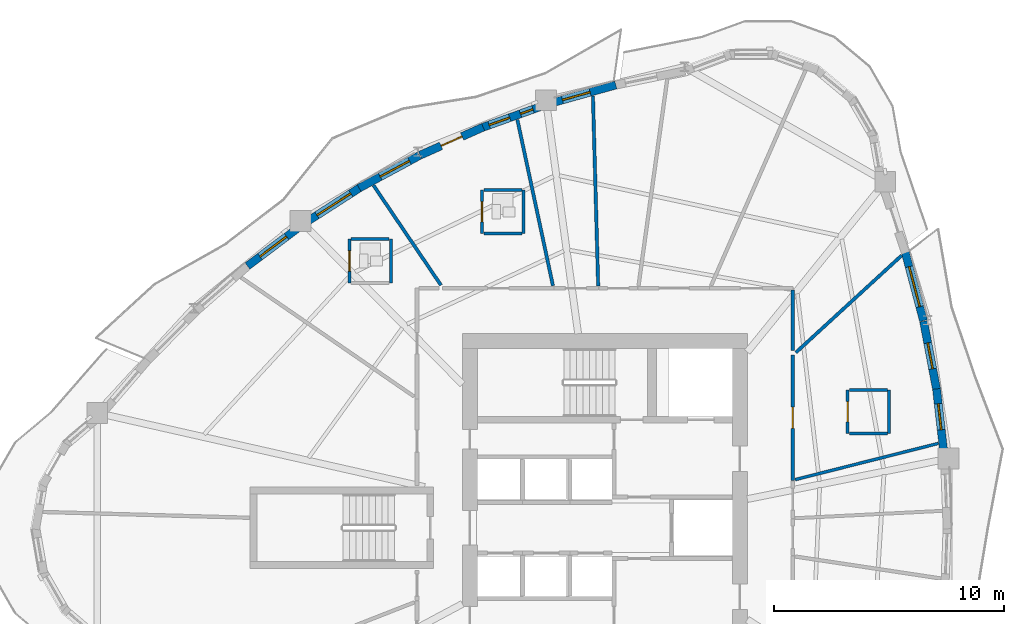
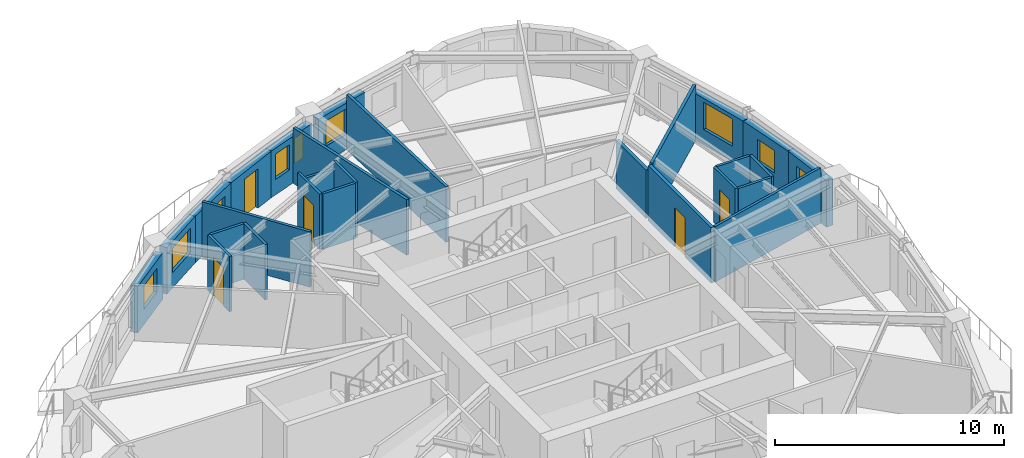
# One storey, part 9 of 15: 27 walls, 9 windows, 5 doors, 14 openings.
"""IFC4 building model written with IfcOpenShell, lengths in metres."""

from ifc_helpers import new_model, si_unit, direction, frame, frame_2d, origin, place, context, subcontext, project, spatial, rectangle, extrude, source, transform, mapped, material, layer, layer_set, type_object, element, fill, save


model = new_model("IFC4")

# Units and contexts
model_context = context("Model", 3, precision=1e-05, world=origin(), true_north=direction((0.0, 1.0)))
body_context = subcontext(model_context, "Body", "Model", "MODEL_VIEW")
ifc_project = project(units=[si_unit("LENGTHUNIT", "METRE"), si_unit("AREAUNIT", "SQUARE_METRE"), si_unit("VOLUMEUNIT", "CUBIC_METRE"), si_unit("PLANEANGLEUNIT", "RADIAN"), si_unit("MASSUNIT", "GRAM", prefix="KILO")], contexts=[model_context])

# Site, building, storey
site_placement = place(None, origin())
site = spatial("IfcSite", under=ifc_project, at=site_placement, CompositionType="ELEMENT")
building_placement = place(site_placement, origin())
building = spatial("IfcBuilding", under=site, at=building_placement, Name="Qafzar Sky-Pleat Residences", CompositionType="ELEMENT")
storey_placement = place(building_placement, frame((0.0, 0.0, 70.39990234375)))
storey = spatial("IfcBuildingStorey", under=building, at=storey_placement, Name="L20", CompositionType="ELEMENT", Elevation=70.39990234375)

# Wall, opening, door
ifc_material_1 = material(Name="Acoustic gypsum plasterboard partition", Category="gypsum")
ifc_layer_1 = layer(ifc_material_1, 0.159912109375)
ifc_layer_set_1 = layer_set([ifc_layer_1], Name="Acoustic gypsum plasterboard partition")
wall_type_1 = type_object("IfcWallType", Name="PART-COR-160", PredefinedType="PARTITIONING", material=ifc_layer_set_1)
wall_1_placement = place(storey_placement, frame((38.530029296875, 33.52587890625, 0.0), z_axis=(0.0, 0.0, 1.0), x_axis=(0.0, -1.0, 0.0)))
wall_1 = element("IfcWall", 1, at=wall_1_placement, inside=storey, type_object=wall_type_1, Name="L20 Partition Wall PART-L20-PW-002", PredefinedType="PARTITIONING", context=body_context, shape_type="SweptSolid", body=[
    extrude(rectangle(XDim=5.471923828125, YDim=0.159912109375, at=frame_2d((2.73583984375, 0.0))), origin(), (0.0, 0.0, 1.0), 2.9501953125),
])
opening_1_placement = place(wall_1_placement, frame((2.278076171875, 0.0, 0.0)))
opening_1 = element("IfcOpeningElement", 2, at=opening_1_placement, cuts=wall_1, Name="Opening ID-04", PredefinedType="OPENING", context=body_context, shape_type="SweptSolid", body=[
    extrude(rectangle(XDim=0.919921875, YDim=2.10009765625, at=frame_2d((0.4599609375, 1.050048828125))), frame((0.0, 0.08984375, 0.0), z_axis=(0.0, -1.0, 0.0), x_axis=(1.0, 0.0, 0.0)), (0.0, 0.0, 1.0), 0.179931640625),
])
ifc_material_2 = material(Name="Timber-faced fire door", Category="wood")
door_type_1 = type_object("IfcDoorType", Name="DR-BED-920", OperationType="NOTDEFINED", PredefinedType="DOOR", material=ifc_material_2)
shared_shape_1 = source(origin(), body_context, "Body", "SweptSolid", [
    extrude(rectangle(XDim=0.919921875, YDim=2.10009765625, at=frame_2d((0.4599609375, 1.050048828125))), frame((0.0, 0.02490234375, 0.0), z_axis=(0.0, -1.0, 0.0), x_axis=(1.0, 0.0, 0.0)), (0.0, 0.0, 1.0), 0.050048828125),
])
door_1_placement = place(opening_1_placement, origin())
door_1 = element("IfcDoor", 3, at=door_1_placement, inside=storey, type_object=door_type_1, Name="L20 Co-Living Bedroom 8 Door", OperationType="SINGLE_SWING_LEFT", OverallHeight=2.10009765625, OverallWidth=0.919921875, PredefinedType="DOOR", context=body_context, shape_type="MappedRepresentation", body=[
    mapped(shared_shape_1, transform((0.0, 0.0, 0.0), x_axis=(1.0, 0.0, 0.0), y_axis=(0.0, 1.0, 0.0), z_axis=(0.0, 0.0, 1.0), scale=1.0)),
])
fill(opening_1, door_1)

# Walls
wall_2_placement = place(storey_placement, frame((38.530029296875, 33.720703125, 0.0), z_axis=(0.0, 0.0, 1.0), x_axis=(0.0, 1.0, 0.0)))
element("IfcWall", 4, at=wall_2_placement, inside=storey, type_object=wall_type_1, Name="L20 Partition Wall PART-L20-PW-044", PredefinedType="PARTITIONING", context=body_context, shape_type="SweptSolid", body=[
    extrude(rectangle(XDim=2.621337890625, YDim=0.159912109375, at=frame_2d((1.310546875, 0.0))), origin(), (0.0, 0.0, 1.0), 2.588134765625),
])
ifc_layer_2 = layer(ifc_material_1, 0.14501953125)
ifc_layer_set_2 = layer_set([ifc_layer_2], Name="Acoustic gypsum plasterboard partition")
wall_type_2 = type_object("IfcWallType", Name="PART-UNIT-145", PredefinedType="PARTITIONING", material=ifc_layer_set_2)
wall_3_placement = place(storey_placement, frame((29.830078125, 44.785400390625, 0.0), z_axis=(0.0, 0.0, 1.0), x_axis=(0.027636759054, -0.999618031825, 0.0)))
element("IfcWall", 5, at=wall_3_placement, inside=storey, type_object=wall_type_2, Name="L20 Partition Wall PART-L20-PW-032", PredefinedType="PARTITIONING", context=body_context, shape_type="SweptSolid", body=[
    extrude(rectangle(XDim=8.2685546875, YDim=0.14501953125, at=frame_2d((4.13427734375, 0.0))), origin(), (0.0, 0.0, 1.0), 2.9501953125),
])
wall_4_placement = place(storey_placement, frame((26.541015625, 43.765625, 0.0), z_axis=(0.0, 0.0, 1.0), x_axis=(0.209522326513, -0.9778038631, 0.0)))
element("IfcWall", 6, at=wall_4_placement, inside=storey, type_object=wall_type_2, Name="L20 Partition Wall PART-L20-PW-034", PredefinedType="PARTITIONING", context=body_context, shape_type="SweptSolid", body=[
    extrude(rectangle(XDim=7.396728515625, YDim=0.14501953125, at=frame_2d((3.6982421875, 0.0))), origin(), (0.0, 0.0, 1.0), 2.9501953125),
])
wall_5_placement = place(storey_placement, frame((38.664794921875, 33.6298828125, 0.0), z_axis=(0.0, 0.0, 1.0), x_axis=(0.736824900837, 0.676083623161, 0.0)))
element("IfcWall", 7, at=wall_5_placement, inside=storey, type_object=wall_type_2, Name="L20 Partition Wall PART-L20-PW-038", PredefinedType="PARTITIONING", context=body_context, shape_type="SweptSolid", body=[
    extrude(rectangle(XDim=6.25, YDim=0.14501953125, at=frame_2d((3.125, 0.0))), origin(), (0.0, 0.0, 1.0), 2.9501953125),
])
wall_6_placement = place(storey_placement, frame((20.277099609375, 40.90625, 0.0), z_axis=(0.0, 0.0, 1.0), x_axis=(0.559905741259, -0.828556311246, 0.0)))
element("IfcWall", 8, at=wall_6_placement, inside=storey, type_object=wall_type_2, Name="L20 Partition Wall PART-L20-PW-041", PredefinedType="PARTITIONING", context=body_context, shape_type="SweptSolid", body=[
    extrude(rectangle(XDim=5.2490234375, YDim=0.14501953125, at=frame_2d((2.62451171875, 0.0))), origin(), (0.0, 0.0, 1.0), 2.9501953125),
])

# Wall, opening, door
ifc_material_3 = material(Name="Moisture-resistant gypsum partition", Category="gypsum")
ifc_layer_3 = layer(ifc_material_3, 0.1298828125)
ifc_layer_set_3 = layer_set([ifc_layer_3], Name="Moisture-resistant gypsum partition")
wall_type_3 = type_object("IfcWallType", Name="PART-WET-130", PredefinedType="PARTITIONING", material=ifc_layer_set_3)
wall_7_placement = place(storey_placement, frame((25.0048828125, 40.700927734375, 0.0), z_axis=(0.0, 0.0, 1.0), x_axis=(0.0, -1.0, 0.0)))
wall_7 = element("IfcWall", 9, at=wall_7_placement, inside=storey, type_object=wall_type_3, Name="L20 Partition Wall PART-L20-PW-018", PredefinedType="PARTITIONING", context=body_context, shape_type="SweptSolid", body=[
    extrude(rectangle(XDim=1.89990234375, YDim=0.1298828125, at=frame_2d((0.949951171875, 0.0))), origin(), (0.0, 0.0, 1.0), 2.9501953125),
])
opening_2_placement = place(wall_7_placement, frame((0.510009765625, 0.0, 0.0)))
opening_2 = element("IfcOpeningElement", 10, at=opening_2_placement, cuts=wall_7, Name="Opening ID-07", PredefinedType="OPENING", context=body_context, shape_type="SweptSolid", body=[
    extrude(rectangle(XDim=0.8798828125, YDim=2.050048828125, at=frame_2d((0.43994140625, 1.02490234375))), frame((0.0, 0.074951171875, 0.0), z_axis=(0.0, -1.0, 0.0), x_axis=(1.0, 0.0, 0.0)), (0.0, 0.0, 1.0), 0.14990234375),
])
door_type_2 = type_object("IfcDoorType", Name="DR-WET-880", OperationType="NOTDEFINED", PredefinedType="DOOR", material=ifc_material_2)
shared_shape_2 = source(origin(), body_context, "Body", "SweptSolid", [
    extrude(rectangle(XDim=0.8798828125, YDim=2.050048828125, at=frame_2d((0.43994140625, 1.02490234375))), frame((0.0, 0.02490234375, 0.0), z_axis=(0.0, -1.0, 0.0), x_axis=(1.0, 0.0, 0.0)), (0.0, 0.0, 1.0), 0.050048828125),
])
door_2_placement = place(opening_2_placement, origin())
door_2 = element("IfcDoor", 11, at=door_2_placement, inside=storey, type_object=door_type_2, Name="L20 En-suite Bathroom 3 Door", OperationType="SINGLE_SWING_RIGHT", OverallHeight=2.050048828125, OverallWidth=0.8798828125, PredefinedType="DOOR", context=body_context, shape_type="MappedRepresentation", body=[
    mapped(shared_shape_2, transform((0.0, 0.0, 0.0), x_axis=(1.0, 0.0, 0.0), y_axis=(0.0, 1.0, 0.0), z_axis=(0.0, 0.0, 1.0), scale=1.0)),
])
fill(opening_2, door_2)

wall_8_placement = place(storey_placement, frame((19.237060546875, 38.56103515625, 0.0), z_axis=(0.0, 0.0, 1.0), x_axis=(0.0, -1.0, 0.0)))
wall_8 = element("IfcWall", 12, at=wall_8_placement, inside=storey, type_object=wall_type_3, Name="L20 Partition Wall PART-L20-PW-019", PredefinedType="PARTITIONING", context=body_context, shape_type="SweptSolid", body=[
    extrude(rectangle(XDim=1.900146484375, YDim=0.1298828125, at=frame_2d((0.9501953125, 0.0))), origin(), (0.0, 0.0, 1.0), 2.9501953125),
])
opening_3_placement = place(wall_8_placement, frame((0.510009765625, 0.0, 0.0)))
opening_3 = element("IfcOpeningElement", 13, at=opening_3_placement, cuts=wall_8, Name="Opening ID-07", PredefinedType="OPENING", context=body_context, shape_type="SweptSolid", body=[
    extrude(rectangle(XDim=0.8798828125, YDim=2.050048828125, at=frame_2d((0.43994140625, 1.02490234375))), frame((0.0, 0.074951171875, 0.0), z_axis=(0.0, -1.0, 0.0), x_axis=(1.0, 0.0, 0.0)), (0.0, 0.0, 1.0), 0.14990234375),
])
door_3_placement = place(opening_3_placement, origin())
door_3 = element("IfcDoor", 14, at=door_3_placement, inside=storey, type_object=door_type_2, Name="L20 En-suite Bathroom 4 Door", OperationType="SINGLE_SWING_LEFT", OverallHeight=2.050048828125, OverallWidth=0.8798828125, PredefinedType="DOOR", context=body_context, shape_type="MappedRepresentation", body=[
    mapped(shared_shape_2, transform((0.0, 0.0, 0.0), x_axis=(1.0, 0.0, 0.0), y_axis=(0.0, 1.0, 0.0), z_axis=(0.0, 0.0, 1.0), scale=1.0)),
])
fill(opening_3, door_3)

wall_9_placement = place(storey_placement, frame((40.9189453125, 32.00390625, 0.0), z_axis=(0.0, 0.0, 1.0), x_axis=(0.0, -1.0, 0.0)))
wall_9 = element("IfcWall", 15, at=wall_9_placement, inside=storey, type_object=wall_type_3, Name="L20 Partition Wall PART-L20-PW-020", PredefinedType="PARTITIONING", context=body_context, shape_type="SweptSolid", body=[
    extrude(rectangle(XDim=1.89990234375, YDim=0.1298828125, at=frame_2d((0.949951171875, 0.0))), origin(), (0.0, 0.0, 1.0), 2.9501953125),
])
opening_4_placement = place(wall_9_placement, frame((0.510009765625, 0.0, 0.0)))
opening_4 = element("IfcOpeningElement", 16, at=opening_4_placement, cuts=wall_9, Name="Opening ID-07", PredefinedType="OPENING", context=body_context, shape_type="SweptSolid", body=[
    extrude(rectangle(XDim=0.8798828125, YDim=2.050048828125, at=frame_2d((0.43994140625, 1.02490234375))), frame((0.0, 0.074951171875, 0.0), z_axis=(0.0, -1.0, 0.0), x_axis=(1.0, 0.0, 0.0)), (0.0, 0.0, 1.0), 0.14990234375),
])
door_4_placement = place(opening_4_placement, origin())
door_4 = element("IfcDoor", 17, at=door_4_placement, inside=storey, type_object=door_type_2, Name="L20 En-suite Bathroom 8 Door", OperationType="SINGLE_SWING_RIGHT", OverallHeight=2.050048828125, OverallWidth=0.8798828125, PredefinedType="DOOR", context=body_context, shape_type="MappedRepresentation", body=[
    mapped(shared_shape_2, transform((0.0, 0.0, 0.0), x_axis=(1.0, 0.0, 0.0), y_axis=(0.0, 1.0, 0.0), z_axis=(0.0, 0.0, 1.0), scale=1.0)),
])
fill(opening_4, door_4)

# Walls
wall_10_placement = place(storey_placement, frame((38.6337890625, 28.09619140625, 0.0), z_axis=(0.0, 0.0, 1.0), x_axis=(0.969457090906, 0.245260981186, 0.0)))
element("IfcWall", 18, at=wall_10_placement, inside=storey, type_object=wall_type_3, Name="L20 Partition Wall PART-L20-PW-035", PredefinedType="PARTITIONING", context=body_context, shape_type="SweptSolid", body=[
    extrude(rectangle(XDim=6.426513671875, YDim=0.1298828125, at=frame_2d((3.21337890625, 0.0))), origin(), (0.0, 0.0, 1.0), 2.9501953125),
])
wall_11_placement = place(storey_placement, frame((26.804931640625, 38.801025390625, 0.0), z_axis=(0.0, 0.0, 1.0), x_axis=(0.0, 1.0, 0.0)))
element("IfcWall", 19, at=wall_11_placement, inside=storey, type_object=wall_type_3, Name="L20 Partition Wall PART-L20-PW-048", PredefinedType="PARTITIONING", context=body_context, shape_type="SweptSolid", body=[
    extrude(rectangle(XDim=1.89990234375, YDim=0.1298828125, at=frame_2d((0.949951171875, 0.0))), origin(), (0.0, 0.0, 1.0), 2.9501953125),
])
wall_12_placement = place(storey_placement, frame((21.037109375, 36.660888671875, 0.0), z_axis=(0.0, 0.0, 1.0), x_axis=(0.0, 1.0, 0.0)))
element("IfcWall", 20, at=wall_12_placement, inside=storey, type_object=wall_type_3, Name="L20 Partition Wall PART-L20-PW-049", PredefinedType="PARTITIONING", context=body_context, shape_type="SweptSolid", body=[
    extrude(rectangle(XDim=1.900146484375, YDim=0.1298828125, at=frame_2d((0.9501953125, 0.0))), origin(), (0.0, 0.0, 1.0), 2.9501953125),
])
wall_13_placement = place(storey_placement, frame((42.718994140625, 30.10400390625, 0.0), z_axis=(0.0, 0.0, 1.0), x_axis=(0.0, 1.0, 0.0)))
element("IfcWall", 21, at=wall_13_placement, inside=storey, type_object=wall_type_3, Name="L20 Partition Wall PART-L20-PW-050", PredefinedType="PARTITIONING", context=body_context, shape_type="SweptSolid", body=[
    extrude(rectangle(XDim=1.89990234375, YDim=0.1298828125, at=frame_2d((0.949951171875, 0.0))), origin(), (0.0, 0.0, 1.0), 2.9501953125),
])
for number, where, z_axis, x_axis, name in (
    (22, (40.991943359375, 32.00390625, 0.0), (0.0, 0.0, 1.0), (1.0, 0.0, 0.0), "L20 Partition Wall PART-L20-PW-052"),
    (23, (40.991943359375, 30.10400390625, 0.0), (0.0, 0.0, 1.0), (1.0, 0.0, 0.0), "L20 Partition Wall PART-L20-PW-053"),
):
    element("IfcWall", number, at=place(storey_placement, frame(where, z_axis=z_axis, x_axis=x_axis)), inside=storey, type_object=wall_type_3, Name=name, PredefinedType="PARTITIONING", context=body_context, shape_type="SweptSolid", body=[
        extrude(rectangle(XDim=1.654052734375, YDim=0.1298828125, at=frame_2d((0.8271484375, 0.0))), origin(), (0.0, 0.0, 1.0), 2.9501953125),
    ])
wall_14_placement = place(storey_placement, frame((25.077880859375, 40.700927734375, 0.0), z_axis=(0.0, 0.0, 1.0), x_axis=(1.0, 0.0, 0.0)))
element("IfcWall", 24, at=wall_14_placement, inside=storey, type_object=wall_type_3, Name="L20 Partition Wall PART-L20-PW-054", PredefinedType="PARTITIONING", context=body_context, shape_type="SweptSolid", body=[
    extrude(rectangle(XDim=1.654052734375, YDim=0.1298828125, at=frame_2d((0.8271484375, 0.0))), origin(), (0.0, 0.0, 1.0), 2.55810546875),
])
for number, where, z_axis, x_axis, name in (
    (25, (25.077880859375, 38.801025390625, 0.0), (0.0, 0.0, 1.0), (1.0, 0.0, 0.0), "L20 Partition Wall PART-L20-PW-055"),
    (26, (19.31005859375, 38.56103515625, 0.0), (0.0, 0.0, 1.0), (1.0, 0.0, 0.0), "L20 Partition Wall PART-L20-PW-056"),
):
    element("IfcWall", number, at=place(storey_placement, frame(where, z_axis=z_axis, x_axis=x_axis)), inside=storey, type_object=wall_type_3, Name=name, PredefinedType="PARTITIONING", context=body_context, shape_type="SweptSolid", body=[
        extrude(rectangle(XDim=1.654052734375, YDim=0.1298828125, at=frame_2d((0.8271484375, 0.0))), origin(), (0.0, 0.0, 1.0), 2.9501953125),
    ])

# Wall, opening, window
ifc_material_4 = material(Name="Precast concrete C40/50 with honed Riyadh limestone", Category="concrete")
ifc_layer_4 = layer(ifc_material_4, 0.35009765625)
ifc_layer_set_4 = layer_set([ifc_layer_4], Name="Precast concrete C40/50 with honed Riyadh limestone")
wall_type_4 = type_object("IfcWallType", Name="WALL-EXT-350", PredefinedType="SOLIDWALL", material=ifc_layer_set_4)
wall_15_placement = place(storey_placement, frame((45.10888671875, 29.217041015625, 0.0), z_axis=(0.0, 0.0, 1.0), x_axis=(-0.11323690057, 0.993568016972, 0.0)))
wall_15 = element("IfcWall", 27, at=wall_15_placement, inside=storey, type_object=wall_type_4, Name="L20 Limestone Facade Wall 29", PredefinedType="SOLIDWALL", context=body_context, shape_type="SweptSolid", body=[
    extrude(rectangle(XDim=2.845947265625, YDim=0.35009765625, at=frame_2d((1.4228515625, 0.0))), origin(), (0.0, 0.0, 1.0), 2.47998046875),
])
opening_5_placement = place(wall_15_placement, frame((1.0498046875, 0.0, 0.820068359375)))
opening_5 = element("IfcOpeningElement", 28, at=opening_5_placement, cuts=wall_15, Name="Opening WN-16", PredefinedType="OPENING", context=body_context, shape_type="SweptSolid", body=[
    extrude(rectangle(XDim=1.14990234375, YDim=1.199951171875, at=frame_2d((0.574951171875, 0.60009765625))), frame((0.0, 0.18505859375, 0.0), z_axis=(0.0, -1.0, 0.0), x_axis=(1.0, 0.0, 0.0)), (0.0, 0.0, 1.0), 0.3701171875),
])
ifc_material_5 = material(Name="Solar-control low-E glass in bronze aluminium frame", Category="glass")
window_type_1 = type_object("IfcWindowType", Name="WIN-16", PartitioningType="SINGLE_PANEL", PredefinedType="WINDOW", material=ifc_material_5)
shared_shape_3 = source(origin(), body_context, "Body", "SweptSolid", [
    extrude(rectangle(XDim=1.14990234375, YDim=1.199951171875, at=frame_2d((0.574951171875, 0.60009765625))), frame((0.0, 0.030029296875, 0.0), z_axis=(0.0, -1.0, 0.0), x_axis=(1.0, 0.0, 0.0)), (0.0, 0.0, 1.0), 0.06005859375),
])
window_1_placement = place(opening_5_placement, origin())
window_1 = element("IfcWindow", 29, at=window_1_placement, inside=storey, type_object=window_type_1, Name="L20 Punched Facade Window 29-2", OverallHeight=1.199951171875, OverallWidth=1.14990234375, PartitioningType="SINGLE_PANEL", PredefinedType="WINDOW", context=body_context, shape_type="MappedRepresentation", body=[
    mapped(shared_shape_3, transform((0.0, 0.0, 0.0), x_axis=(1.0, 0.0, 0.0), y_axis=(0.0, 1.0, 0.0), z_axis=(0.0, 0.0, 1.0), scale=1.0)),
])
fill(opening_5, window_1)

wall_16_placement = place(storey_placement, frame((44.7998046875, 31.956787109375, 0.0), z_axis=(0.0, 0.0, 1.0), x_axis=(-0.186672102023, 0.982422274954, 0.0)))
wall_16 = element("IfcWall", 30, at=wall_16_placement, inside=storey, type_object=wall_type_4, Name="L20 Limestone Facade Wall 30", PredefinedType="SOLIDWALL", context=body_context, shape_type="SweptSolid", body=[
    extrude(rectangle(XDim=3.085205078125, YDim=0.35009765625, at=frame_2d((1.54248046875, 0.0))), origin(), (0.0, 0.0, 1.0), 2.47998046875),
])
opening_6_placement = place(wall_16_placement, frame((0.977783203125, 0.0, 0.820068359375)))
opening_6 = element("IfcOpeningElement", 31, at=opening_6_placement, cuts=wall_16, Name="Opening WN-16", PredefinedType="OPENING", context=body_context, shape_type="SweptSolid", body=[
    extrude(rectangle(XDim=1.14990234375, YDim=1.199951171875, at=frame_2d((0.574951171875, 0.60009765625))), frame((0.0, 0.18505859375, 0.0), z_axis=(0.0, -1.0, 0.0), x_axis=(1.0, 0.0, 0.0)), (0.0, 0.0, 1.0), 0.3701171875),
])
window_2_placement = place(opening_6_placement, origin())
window_2 = element("IfcWindow", 32, at=window_2_placement, inside=storey, type_object=window_type_1, Name="L20 Punched Facade Window 30", OverallHeight=1.199951171875, OverallWidth=1.14990234375, PartitioningType="SINGLE_PANEL", PredefinedType="WINDOW", context=body_context, shape_type="MappedRepresentation", body=[
    mapped(shared_shape_3, transform((0.0, 0.0, 0.0), x_axis=(1.0, 0.0, 0.0), y_axis=(0.0, 1.0, 0.0), z_axis=(0.0, 0.0, 1.0), scale=1.0)),
])
fill(opening_6, window_2)

wall_17_placement = place(storey_placement, frame((44.2177734375, 35.014404296875, 0.0), z_axis=(0.0, 0.0, 1.0), x_axis=(-0.25705209467, 0.96639754792, 0.0)))
wall_17 = element("IfcWall", 33, at=wall_17_placement, inside=storey, type_object=wall_type_4, Name="L20 Limestone Facade Wall 31", PredefinedType="SOLIDWALL", context=body_context, shape_type="SweptSolid", body=[
    extrude(rectangle(XDim=3.13623046875, YDim=0.35009765625, at=frame_2d((1.568115234375, 0.0))), origin(), (0.0, 0.0, 1.0), 2.47998046875),
])
opening_7_placement = place(wall_17_placement, frame((0.6298828125, 0.0, 0.820068359375)))
opening_7 = element("IfcOpeningElement", 34, at=opening_7_placement, cuts=wall_17, Name="Opening WN-01", PredefinedType="OPENING", context=body_context, shape_type="SweptSolid", body=[
    extrude(rectangle(XDim=1.800048828125, YDim=1.449951171875, at=frame_2d((0.89990234375, 0.72509765625))), frame((0.0, 0.18505859375, 0.0), z_axis=(0.0, -1.0, 0.0), x_axis=(1.0, 0.0, 0.0)), (0.0, 0.0, 1.0), 0.3701171875),
])
window_type_2 = type_object("IfcWindowType", Name="WIN-01", PartitioningType="DOUBLE_PANEL_VERTICAL", PredefinedType="WINDOW", material=ifc_material_5)
shared_shape_4 = source(origin(), body_context, "Body", "SweptSolid", [
    extrude(rectangle(XDim=1.800048828125, YDim=1.449951171875, at=frame_2d((0.89990234375, 0.72509765625))), frame((0.0, 0.030029296875, 0.0), z_axis=(0.0, -1.0, 0.0), x_axis=(1.0, 0.0, 0.0)), (0.0, 0.0, 1.0), 0.06005859375),
])
window_3_placement = place(opening_7_placement, origin())
window_3 = element("IfcWindow", 35, at=window_3_placement, inside=storey, type_object=window_type_2, Name="L20 Punched Facade Window 31", OverallHeight=1.449951171875, OverallWidth=1.800048828125, PartitioningType="SINGLE_PANEL", PredefinedType="WINDOW", context=body_context, shape_type="MappedRepresentation", body=[
    mapped(shared_shape_4, transform((0.0, 0.0, 0.0), x_axis=(1.0, 0.0, 0.0), y_axis=(0.0, 1.0, 0.0), z_axis=(0.0, 0.0, 1.0), scale=1.0)),
])
fill(opening_7, window_3)

wall_18_placement = place(storey_placement, frame((30.8271484375, 45.2724609375, 0.0), z_axis=(0.0, 0.0, 1.0), x_axis=(-0.963061576901, -0.269281263918, 0.0)))
wall_18 = element("IfcWall", 36, at=wall_18_placement, inside=storey, type_object=wall_type_4, Name="L20 Limestone Facade Wall 40", PredefinedType="SOLIDWALL", context=body_context, shape_type="SweptSolid", body=[
    extrude(rectangle(XDim=2.883056640625, YDim=0.35009765625, at=frame_2d((1.44140625, 0.0))), origin(), (0.0, 0.0, 1.0), 2.47998046875),
])
opening_8_placement = place(wall_18_placement, frame((1.162841796875, 0.0, 0.820068359375)))
opening_8 = element("IfcOpeningElement", 37, at=opening_8_placement, cuts=wall_18, Name="Opening WN-11", PredefinedType="OPENING", context=body_context, shape_type="SweptSolid", body=[
    extrude(rectangle(XDim=1.25, YDim=1.35009765625, at=frame_2d((0.625, 0.675048828125))), frame((0.0, 0.18505859375, 0.0), z_axis=(0.0, -1.0, 0.0), x_axis=(1.0, 0.0, 0.0)), (0.0, 0.0, 1.0), 0.3701171875),
])
window_type_3 = type_object("IfcWindowType", Name="WIN-11", PartitioningType="SINGLE_PANEL", PredefinedType="WINDOW", material=ifc_material_5)
shared_shape_5 = source(origin(), body_context, "Body", "SweptSolid", [
    extrude(rectangle(XDim=1.25, YDim=1.35009765625, at=frame_2d((0.625, 0.675048828125))), frame((0.0, 0.030029296875, 0.0), z_axis=(0.0, -1.0, 0.0), x_axis=(1.0, 0.0, 0.0)), (0.0, 0.0, 1.0), 0.06005859375),
])
window_4_placement = place(opening_8_placement, origin())
window_4 = element("IfcWindow", 38, at=window_4_placement, inside=storey, type_object=window_type_3, Name="L20 Punched Facade Window 40-2", OverallHeight=1.35009765625, OverallWidth=1.25, PartitioningType="SINGLE_PANEL", PredefinedType="WINDOW", context=body_context, shape_type="MappedRepresentation", body=[
    mapped(shared_shape_5, transform((0.0, 0.0, 0.0), x_axis=(1.0, 0.0, 0.0), y_axis=(0.0, 1.0, 0.0), z_axis=(0.0, 0.0, 1.0), scale=1.0)),
])
fill(opening_8, window_4)

# Wall, openings, windows
wall_19_placement = place(storey_placement, frame((27.63427734375, 44.363037109375, 0.0), z_axis=(0.0, 0.0, 1.0), x_axis=(-0.941122275829, -0.3380663573, 0.0)))
wall_19 = element("IfcWall", 39, at=wall_19_placement, inside=storey, type_object=wall_type_4, Name="L20 Limestone Facade Wall 41", PredefinedType="SOLIDWALL", context=body_context, shape_type="SweptSolid", body=[
    extrude(rectangle(XDim=2.8330078125, YDim=0.35009765625, at=frame_2d((1.41650390625, 0.0))), origin(), (0.0, 0.0, 1.0), 2.47998046875),
])
opening_9_placement = place(wall_19_placement, frame((0.438720703125, 0.0, 0.820068359375)))
opening_9 = element("IfcOpeningElement", 40, at=opening_9_placement, cuts=wall_19, Name="Opening WN-17", PredefinedType="OPENING", context=body_context, shape_type="SweptSolid", body=[
    extrude(rectangle(XDim=0.580078125, YDim=1.35009765625, at=frame_2d((0.2900390625, 0.675048828125))), frame((0.0, 0.18505859375, 0.0), z_axis=(0.0, -1.0, 0.0), x_axis=(1.0, 0.0, 0.0)), (0.0, 0.0, 1.0), 0.3701171875),
])
opening_10_placement = place(wall_19_placement, frame((1.515380859375, 0.0, 0.820068359375)))
opening_10 = element("IfcOpeningElement", 41, at=opening_10_placement, cuts=wall_19, Name="Opening WN-12", PredefinedType="OPENING", context=body_context, shape_type="SweptSolid", body=[
    extrude(rectangle(XDim=0.949951171875, YDim=1.35009765625, at=frame_2d((0.47509765625, 0.675048828125))), frame((0.0, 0.18505859375, 0.0), z_axis=(0.0, -1.0, 0.0), x_axis=(1.0, 0.0, 0.0)), (0.0, 0.0, 1.0), 0.3701171875),
])
window_type_4 = type_object("IfcWindowType", Name="WIN-12", PartitioningType="SINGLE_PANEL", PredefinedType="WINDOW", material=ifc_material_5)
shared_shape_6 = source(origin(), body_context, "Body", "SweptSolid", [
    extrude(rectangle(XDim=0.949951171875, YDim=1.35009765625, at=frame_2d((0.47509765625, 0.675048828125))), frame((0.0, 0.030029296875, 0.0), z_axis=(0.0, -1.0, 0.0), x_axis=(1.0, 0.0, 0.0)), (0.0, 0.0, 1.0), 0.06005859375),
])
window_5_placement = place(opening_10_placement, origin())
window_5 = element("IfcWindow", 42, at=window_5_placement, inside=storey, type_object=window_type_4, Name="L20 Punched Facade Window 41-2", OverallHeight=1.35009765625, OverallWidth=0.949951171875, PartitioningType="SINGLE_PANEL", PredefinedType="WINDOW", context=body_context, shape_type="MappedRepresentation", body=[
    mapped(shared_shape_6, transform((0.0, 0.0, 0.0), x_axis=(1.0, 0.0, 0.0), y_axis=(0.0, 1.0, 0.0), z_axis=(0.0, 0.0, 1.0), scale=1.0)),
])
fill(opening_10, window_5)
window_type_5 = type_object("IfcWindowType", Name="WIN-17", PartitioningType="SINGLE_PANEL", PredefinedType="WINDOW", material=ifc_material_5)
shared_shape_7 = source(origin(), body_context, "Body", "SweptSolid", [
    extrude(rectangle(XDim=0.580078125, YDim=1.35009765625, at=frame_2d((0.2900390625, 0.675048828125))), frame((0.0, 0.030029296875, 0.0), z_axis=(0.0, -1.0, 0.0), x_axis=(1.0, 0.0, 0.0)), (0.0, 0.0, 1.0), 0.06005859375),
])
window_6_placement = place(opening_9_placement, origin())
window_6 = element("IfcWindow", 43, at=window_6_placement, inside=storey, type_object=window_type_5, Name="L20 Punched Facade Window 41", OverallHeight=1.35009765625, OverallWidth=0.580078125, PartitioningType="SINGLE_PANEL", PredefinedType="WINDOW", context=body_context, shape_type="MappedRepresentation", body=[
    mapped(shared_shape_7, transform((0.0, 0.0, 0.0), x_axis=(1.0, 0.0, 0.0), y_axis=(0.0, 1.0, 0.0), z_axis=(0.0, 0.0, 1.0), scale=1.0)),
])
fill(opening_9, window_6)

# Wall, opening, door
wall_20_placement = place(storey_placement, frame((25.050537109375, 43.4384765625, 0.0), z_axis=(0.0, 0.0, 1.0), x_axis=(-0.913435824308, -0.406982794318, 0.0)))
wall_20 = element("IfcWall", 44, at=wall_20_placement, inside=storey, type_object=wall_type_4, Name="L20 Limestone Facade Wall 42", PredefinedType="SOLIDWALL", context=body_context, shape_type="SweptSolid", body=[
    extrude(rectangle(XDim=3.004150390625, YDim=0.35009765625, at=frame_2d((1.501953125, 0.0))), origin(), (0.0, 0.0, 1.0), 2.47998046875),
])
opening_11_placement = place(wall_20_placement, frame((1.001953125, 0.0, 0.0)))
opening_11 = element("IfcOpeningElement", 45, at=opening_11_placement, cuts=wall_20, Name="Opening ED-05", PredefinedType="OPENING", context=body_context, shape_type="SweptSolid", body=[
    extrude(rectangle(XDim=1.0, YDim=2.10009765625, at=frame_2d((0.5, 1.050048828125))), frame((0.0, 0.18505859375, 0.0), z_axis=(0.0, -1.0, 0.0), x_axis=(1.0, 0.0, 0.0)), (0.0, 0.0, 1.0), 0.3701171875),
])
ifc_material_6 = material(Name="Glazed bronze aluminium door", Category="aluminium")
door_type_3 = type_object("IfcDoorType", Name="DR-BAL-1000", OperationType="NOTDEFINED", PredefinedType="DOOR", material=ifc_material_6)
shared_shape_8 = source(origin(), body_context, "Body", "SweptSolid", [
    extrude(rectangle(XDim=1.0, YDim=2.10009765625, at=frame_2d((0.5, 1.050048828125))), frame((0.0, 0.02490234375, 0.0), z_axis=(0.0, -1.0, 0.0), x_axis=(1.0, 0.0, 0.0)), (0.0, 0.0, 1.0), 0.050048828125),
])
door_5_placement = place(opening_11_placement, origin())
door_5 = element("IfcDoor", 46, at=door_5_placement, inside=storey, type_object=door_type_3, Name="L20 Glazed Balcony Door 2", OperationType="SINGLE_SWING_LEFT", OverallHeight=2.10009765625, OverallWidth=1.0, PredefinedType="DOOR", context=body_context, shape_type="MappedRepresentation", body=[
    mapped(shared_shape_8, transform((0.0, 0.0, 0.0), x_axis=(1.0, 0.0, 0.0), y_axis=(0.0, 1.0, 0.0), z_axis=(0.0, 0.0, 1.0), scale=1.0)),
])
fill(opening_11, door_5)

# Wall, opening, window
wall_21_placement = place(storey_placement, frame((22.282470703125, 42.2041015625, 0.0), z_axis=(0.0, 0.0, 1.0), x_axis=(-0.880100783756, -0.474786910553, 0.0)))
wall_21 = element("IfcWall", 47, at=wall_21_placement, inside=storey, type_object=wall_type_4, Name="L20 Limestone Facade Wall 43", PredefinedType="SOLIDWALL", context=body_context, shape_type="SweptSolid", body=[
    extrude(rectangle(XDim=2.987060546875, YDim=0.35009765625, at=frame_2d((1.49365234375, 0.0))), origin(), (0.0, 0.0, 1.0), 2.47998046875),
])
opening_12_placement = place(wall_21_placement, frame((0.49658203125, 0.0, 0.820068359375)))
opening_12 = element("IfcOpeningElement", 48, at=opening_12_placement, cuts=wall_21, Name="Opening WN-15", PredefinedType="OPENING", context=body_context, shape_type="SweptSolid", body=[
    extrude(rectangle(XDim=1.449951171875, YDim=1.25, at=frame_2d((0.72509765625, 0.625))), frame((0.0, 0.18505859375, 0.0), z_axis=(0.0, -1.0, 0.0), x_axis=(1.0, 0.0, 0.0)), (0.0, 0.0, 1.0), 0.3701171875),
])
window_type_6 = type_object("IfcWindowType", Name="WIN-15", PartitioningType="SINGLE_PANEL", PredefinedType="WINDOW", material=ifc_material_5)
shared_shape_9 = source(origin(), body_context, "Body", "SweptSolid", [
    extrude(rectangle(XDim=1.449951171875, YDim=1.25, at=frame_2d((0.72509765625, 0.625))), frame((0.0, 0.030029296875, 0.0), z_axis=(0.0, -1.0, 0.0), x_axis=(1.0, 0.0, 0.0)), (0.0, 0.0, 1.0), 0.06005859375),
])
window_7_placement = place(opening_12_placement, origin())
window_7 = element("IfcWindow", 49, at=window_7_placement, inside=storey, type_object=window_type_6, Name="L20 Punched Facade Window 43", OverallHeight=1.25, OverallWidth=1.449951171875, PartitioningType="SINGLE_PANEL", PredefinedType="WINDOW", context=body_context, shape_type="MappedRepresentation", body=[
    mapped(shared_shape_9, transform((0.0, 0.0, 0.0), x_axis=(1.0, 0.0, 0.0), y_axis=(0.0, 1.0, 0.0), z_axis=(0.0, 0.0, 1.0), scale=1.0)),
])
fill(opening_12, window_7)

wall_22_placement = place(storey_placement, frame((19.73046875, 40.831298828125, 0.0), z_axis=(0.0, 0.0, 1.0), x_axis=(-0.841577423868, -0.540136500929, 0.0)))
wall_22 = element("IfcWall", 50, at=wall_22_placement, inside=storey, type_object=wall_type_4, Name="L20 Limestone Facade Wall 44", PredefinedType="SOLIDWALL", context=body_context, shape_type="SweptSolid", body=[
    extrude(rectangle(XDim=2.781982421875, YDim=0.35009765625, at=frame_2d((1.39111328125, 0.0))), origin(), (0.0, 0.0, 1.0), 2.47998046875),
])
opening_13_placement = place(wall_22_placement, frame((0.52099609375, 0.0, 0.820068359375)))
opening_13 = element("IfcOpeningElement", 51, at=opening_13_placement, cuts=wall_22, Name="Opening WN-14", PredefinedType="OPENING", context=body_context, shape_type="SweptSolid", body=[
    extrude(rectangle(XDim=1.75, YDim=1.300048828125, at=frame_2d((0.875, 0.64990234375))), frame((0.0, 0.18505859375, 0.0), z_axis=(0.0, -1.0, 0.0), x_axis=(1.0, 0.0, 0.0)), (0.0, 0.0, 1.0), 0.3701171875),
])
window_type_7 = type_object("IfcWindowType", Name="WIN-14", PartitioningType="DOUBLE_PANEL_VERTICAL", PredefinedType="WINDOW", material=ifc_material_5)
shared_shape_10 = source(origin(), body_context, "Body", "SweptSolid", [
    extrude(rectangle(XDim=1.75, YDim=1.300048828125, at=frame_2d((0.875, 0.64990234375))), frame((0.0, 0.030029296875, 0.0), z_axis=(0.0, -1.0, 0.0), x_axis=(1.0, 0.0, 0.0)), (0.0, 0.0, 1.0), 0.06005859375),
])
window_8_placement = place(opening_13_placement, origin())
window_8 = element("IfcWindow", 52, at=window_8_placement, inside=storey, type_object=window_type_7, Name="L20 Punched Facade Window 44", OverallHeight=1.300048828125, OverallWidth=1.75, PartitioningType="SINGLE_PANEL", PredefinedType="WINDOW", context=body_context, shape_type="MappedRepresentation", body=[
    mapped(shared_shape_10, transform((0.0, 0.0, 0.0), x_axis=(1.0, 0.0, 0.0), y_axis=(0.0, 1.0, 0.0), z_axis=(0.0, 0.0, 1.0), scale=1.0)),
])
fill(opening_13, window_8)

wall_23_placement = place(storey_placement, frame((17.031005859375, 39.0791015625, 0.0), z_axis=(0.0, 0.0, 1.0), x_axis=(-0.798385341516, -0.602146864521, 0.0)))
wall_23 = element("IfcWall", 53, at=wall_23_placement, inside=storey, type_object=wall_type_4, Name="L20 Limestone Facade Wall 45", PredefinedType="SOLIDWALL", context=body_context, shape_type="SweptSolid", body=[
    extrude(rectangle(XDim=2.79931640625, YDim=0.35009765625, at=frame_2d((1.399658203125, 0.0))), origin(), (0.0, 0.0, 1.0), 2.47998046875),
])
opening_14_placement = place(wall_23_placement, frame((0.669677734375, 0.0, 0.820068359375)))
opening_14 = element("IfcOpeningElement", 54, at=opening_14_placement, cuts=wall_23, Name="Opening WN-15", PredefinedType="OPENING", context=body_context, shape_type="SweptSolid", body=[
    extrude(rectangle(XDim=1.449951171875, YDim=1.25, at=frame_2d((0.72509765625, 0.625))), frame((0.0, 0.18505859375, 0.0), z_axis=(0.0, -1.0, 0.0), x_axis=(1.0, 0.0, 0.0)), (0.0, 0.0, 1.0), 0.3701171875),
])
window_9_placement = place(opening_14_placement, origin())
window_9 = element("IfcWindow", 55, at=window_9_placement, inside=storey, type_object=window_type_6, Name="L20 Punched Facade Window 45", OverallHeight=1.25, OverallWidth=1.449951171875, PartitioningType="SINGLE_PANEL", PredefinedType="WINDOW", context=body_context, shape_type="MappedRepresentation", body=[
    mapped(shared_shape_9, transform((0.0, 0.0, 0.0), x_axis=(1.0, 0.0, 0.0), y_axis=(0.0, 1.0, 0.0), z_axis=(0.0, 0.0, 1.0), scale=1.0)),
])
fill(opening_14, window_9)

save(model, "model.ifc")
